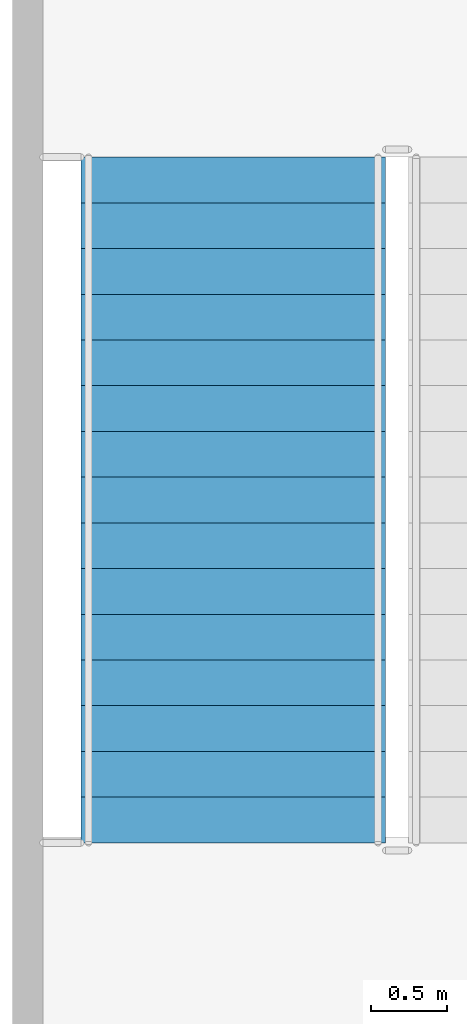
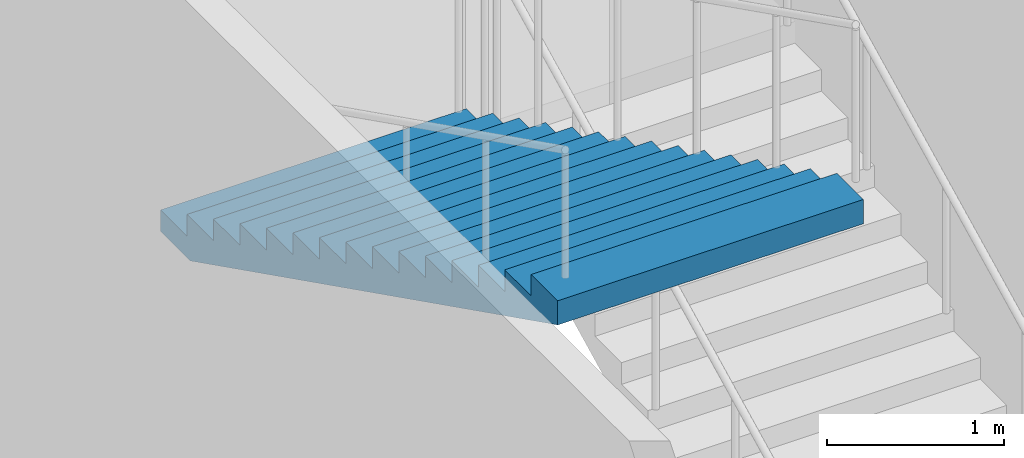
# One storey, part 52 of 67: 1 stair flight, 1 element without a shape of its own.
"""IFC4 building model written with IfcOpenShell, lengths in metres."""

from ifc_helpers import new_model, si_unit, direction, frame, origin, place, context, subcontext, project, spatial, faceted_brep, material, type_object, element, aggregate, save


model = new_model("IFC4")

# Units and contexts
model_context = context("Model", 3, precision=1e-05, world=origin(), true_north=direction((0.0, 1.0)))
body_context = subcontext(model_context, "Body", "Model", "MODEL_VIEW")
ifc_project = project(units=[si_unit("LENGTHUNIT", "METRE"), si_unit("AREAUNIT", "SQUARE_METRE"), si_unit("VOLUMEUNIT", "CUBIC_METRE"), si_unit("PLANEANGLEUNIT", "RADIAN"), si_unit("MASSUNIT", "GRAM", prefix="KILO")], contexts=[model_context])

# Site, building, storey
site_placement = place(None, origin())
site = spatial("IfcSite", under=ifc_project, at=site_placement, CompositionType="ELEMENT")
building_placement = place(site_placement, origin())
building = spatial("IfcBuilding", under=site, at=building_placement, Name="Kiln Court Media Centre", CompositionType="ELEMENT")
storey_placement = place(building_placement, frame((0.0, 0.0, 19.800048828125)))
storey = spatial("IfcBuildingStorey", under=building, at=storey_placement, Name="L04", CompositionType="ELEMENT", Elevation=19.800048828125)

# Stair, stair flight
ifc_material_1 = material(Name="Concrete C40/50", Category="concrete")
stair_type = type_object("IfcStairType", Name="Concrete C40/50 dog-leg stair 2000 wide, 150 riser", PredefinedType="HALF_TURN_STAIR", material=ifc_material_1)
stair_placement = place(storey_placement, origin())
stair = element("IfcStair", 1, at=stair_placement, inside=storey, type_object=stair_type, Name="ST-06 L04", PredefinedType="HALF_TURN_STAIR")
ifc_material_2 = material(Name="Concrete C40/50", Category="concrete")
stair_flight_type = type_object("IfcStairFlightType", Name="Concrete C40/50 stair flight 2000 wide, 150 riser, 300 going", PredefinedType="STRAIGHT", material=ifc_material_2)
stair_flight_placement = place(storey_placement, frame((1.449951171875, 40.89990234375, 2.39990234375), z_axis=(0.0, 0.0, 1.0), x_axis=(0.0, -1.0, 0.0)))
stair_flight = element("IfcStairFlight", 2, at=stair_flight_placement, type_object=stair_flight_type, Name="L04-ST-5003 flight 5007", NumberOfRisers=16, NumberOfTreads=15, PredefinedType="STRAIGHT", RiserHeight=0.15, TreadLength=0.3, context=body_context, shape_type="Brep", body=[
    faceted_brep([(0.335205078125, -1.0, 0.0), (4.5, -1.0, 2.08251953125), (4.5, -1.0, 2.25), (4.199951171875, -1.0, 2.25), (4.199951171875, -1.0, 2.10009765625), (3.89990234375, -1.0, 2.10009765625), (3.89990234375, -1.0, 1.949951171875), (3.60009765625, -1.0, 1.949951171875), (3.60009765625, -1.0, 1.800048828125), (3.300048828125, -1.0, 1.800048828125), (3.300048828125, -1.0, 1.64990234375), (3.0, -1.0, 1.64990234375), (3.0, -1.0, 1.5), (2.699951171875, -1.0, 1.5), (2.699951171875, -1.0, 1.35009765625), (2.39990234375, -1.0, 1.35009765625), (2.39990234375, -1.0, 1.199951171875), (2.10009765625, -1.0, 1.199951171875), (2.10009765625, -1.0, 1.050048828125), (1.800048828125, -1.0, 1.050048828125), (1.800048828125, -1.0, 0.89990234375), (1.5, -1.0, 0.89990234375), (1.5, -1.0, 0.75), (1.199951171875, -1.0, 0.75), (1.199951171875, -1.0, 0.60009765625), (0.89990234375, -1.0, 0.60009765625), (0.89990234375, -1.0, 0.449951171875), (0.60009765625, -1.0, 0.449951171875), (0.60009765625, -1.0, 0.300048828125), (0.300048828125, -1.0, 0.300048828125), (0.300048828125, -1.0, 0.14990234375), (0.0, -1.0, 0.14990234375), (0.0, -1.0, 0.0), (0.0, 1.0, 0.0), (0.0, 1.0, 0.14990234375), (0.300048828125, 1.0, 0.14990234375), (0.300048828125, 1.0, 0.300048828125), (0.60009765625, 1.0, 0.300048828125), (0.60009765625, 1.0, 0.449951171875), (0.89990234375, 1.0, 0.449951171875), (0.89990234375, 1.0, 0.60009765625), (1.199951171875, 1.0, 0.60009765625), (1.199951171875, 1.0, 0.75), (1.5, 1.0, 0.75), (1.5, 1.0, 0.89990234375), (1.800048828125, 1.0, 0.89990234375), (1.800048828125, 1.0, 1.050048828125), (2.10009765625, 1.0, 1.050048828125), (2.10009765625, 1.0, 1.199951171875), (2.39990234375, 1.0, 1.199951171875), (2.39990234375, 1.0, 1.35009765625), (2.699951171875, 1.0, 1.35009765625), (2.699951171875, 1.0, 1.5), (3.0, 1.0, 1.5), (3.0, 1.0, 1.64990234375), (3.300048828125, 1.0, 1.64990234375), (3.300048828125, 1.0, 1.800048828125), (3.60009765625, 1.0, 1.800048828125), (3.60009765625, 1.0, 1.949951171875), (3.89990234375, 1.0, 1.949951171875), (3.89990234375, 1.0, 2.10009765625), (4.199951171875, 1.0, 2.10009765625), (4.199951171875, 1.0, 2.25), (4.5, 1.0, 2.25), (4.5, 1.0, 2.08251953125), (0.335205078125, 1.0, 0.0), (4.5, 0.10009765625, 2.08251953125), (0.335205078125, 0.10009765625, 0.0), (4.5, 0.080078125, 2.08251953125), (0.335205078125, 0.080078125, 0.0), (4.5, 0.06005859375, 2.08251953125), (0.335205078125, 0.06005859375, 0.0), (4.5, 0.0400390625, 2.08251953125), (0.335205078125, 0.0400390625, 0.0), (4.5, 0.02001953125, 2.08251953125), (0.335205078125, 0.02001953125, 0.0), (4.5, 0.0, 2.08251953125), (0.335205078125, 0.0, 0.0), (4.5, -0.02001953125, 2.08251953125), (0.335205078125, -0.02001953125, 0.0), (4.5, -0.0400390625, 2.08251953125), (0.335205078125, -0.0400390625, 0.0), (4.5, -0.06005859375, 2.08251953125), (0.335205078125, -0.06005859375, 0.0), (4.5, -0.080078125, 2.08251953125), (0.335205078125, -0.080078125, 0.0), (4.5, -0.10009765625, 2.08251953125), (0.335205078125, -0.10009765625, 0.0), (4.5, 0.10009765625, 2.25), (4.5, 0.080078125, 2.25), (4.5, 0.06005859375, 2.25), (4.5, 0.0400390625, 2.25), (4.5, 0.02001953125, 2.25), (4.5, 0.0, 2.25), (4.5, -0.02001953125, 2.25), (4.5, -0.0400390625, 2.25), (4.5, -0.06005859375, 2.25), (4.5, -0.080078125, 2.25), (4.5, -0.10009765625, 2.25), (4.199951171875, 0.10009765625, 2.25), (4.199951171875, 0.080078125, 2.25), (4.199951171875, 0.06005859375, 2.25), (4.199951171875, 0.0400390625, 2.25), (4.199951171875, 0.02001953125, 2.25), (4.199951171875, 0.0, 2.25), (4.199951171875, -0.02001953125, 2.25), (4.199951171875, -0.0400390625, 2.25), (4.199951171875, -0.06005859375, 2.25), (4.199951171875, -0.080078125, 2.25), (4.199951171875, -0.10009765625, 2.25), (4.199951171875, 0.10009765625, 2.10009765625), (4.199951171875, 0.080078125, 2.10009765625), (4.199951171875, 0.06005859375, 2.10009765625), (4.199951171875, 0.0400390625, 2.10009765625), (4.199951171875, 0.02001953125, 2.10009765625), (4.199951171875, 0.0, 2.10009765625), (4.199951171875, -0.02001953125, 2.10009765625), (4.199951171875, -0.0400390625, 2.10009765625), (4.199951171875, -0.06005859375, 2.10009765625), (4.199951171875, -0.080078125, 2.10009765625), (4.199951171875, -0.10009765625, 2.10009765625), (3.89990234375, 0.10009765625, 2.10009765625), (3.89990234375, 0.080078125, 2.10009765625), (3.89990234375, 0.06005859375, 2.10009765625), (3.89990234375, 0.0400390625, 2.10009765625), (3.89990234375, 0.02001953125, 2.10009765625), (3.89990234375, 0.0, 2.10009765625), (3.89990234375, -0.02001953125, 2.10009765625), (3.89990234375, -0.0400390625, 2.10009765625), (3.89990234375, -0.06005859375, 2.10009765625), (3.89990234375, -0.080078125, 2.10009765625), (3.89990234375, -0.10009765625, 2.10009765625), (3.89990234375, 0.10009765625, 1.949951171875), (3.89990234375, 0.080078125, 1.949951171875), (3.89990234375, 0.06005859375, 1.949951171875), (3.89990234375, 0.0400390625, 1.949951171875), (3.89990234375, 0.02001953125, 1.949951171875), (3.89990234375, 0.0, 1.949951171875), (3.89990234375, -0.02001953125, 1.949951171875), (3.89990234375, -0.0400390625, 1.949951171875), (3.89990234375, -0.06005859375, 1.949951171875), (3.89990234375, -0.080078125, 1.949951171875), (3.89990234375, -0.10009765625, 1.949951171875), (3.60009765625, 0.10009765625, 1.949951171875), (3.60009765625, 0.080078125, 1.949951171875), (3.60009765625, 0.06005859375, 1.949951171875), (3.60009765625, 0.0400390625, 1.949951171875), (3.60009765625, 0.02001953125, 1.949951171875), (3.60009765625, 0.0, 1.949951171875), (3.60009765625, -0.02001953125, 1.949951171875), (3.60009765625, -0.0400390625, 1.949951171875), (3.60009765625, -0.06005859375, 1.949951171875), (3.60009765625, -0.080078125, 1.949951171875), (3.60009765625, -0.10009765625, 1.949951171875), (3.60009765625, 0.10009765625, 1.800048828125), (3.60009765625, 0.080078125, 1.800048828125), (3.60009765625, 0.06005859375, 1.800048828125), (3.60009765625, 0.0400390625, 1.800048828125), (3.60009765625, 0.02001953125, 1.800048828125), (3.60009765625, 0.0, 1.800048828125), (3.60009765625, -0.02001953125, 1.800048828125), (3.60009765625, -0.0400390625, 1.800048828125), (3.60009765625, -0.06005859375, 1.800048828125), (3.60009765625, -0.080078125, 1.800048828125), (3.60009765625, -0.10009765625, 1.800048828125), (3.300048828125, 0.10009765625, 1.800048828125), (3.300048828125, 0.080078125, 1.800048828125), (3.300048828125, 0.06005859375, 1.800048828125), (3.300048828125, 0.0400390625, 1.800048828125), (3.300048828125, 0.02001953125, 1.800048828125), (3.300048828125, 0.0, 1.800048828125), (3.300048828125, -0.02001953125, 1.800048828125), (3.300048828125, -0.0400390625, 1.800048828125), (3.300048828125, -0.06005859375, 1.800048828125), (3.300048828125, -0.080078125, 1.800048828125), (3.300048828125, -0.10009765625, 1.800048828125), (3.300048828125, 0.10009765625, 1.64990234375), (3.300048828125, 0.080078125, 1.64990234375), (3.300048828125, 0.06005859375, 1.64990234375), (3.300048828125, 0.0400390625, 1.64990234375), (3.300048828125, 0.02001953125, 1.64990234375), (3.300048828125, 0.0, 1.64990234375), (3.300048828125, -0.02001953125, 1.64990234375), (3.300048828125, -0.0400390625, 1.64990234375), (3.300048828125, -0.06005859375, 1.64990234375), (3.300048828125, -0.080078125, 1.64990234375), (3.300048828125, -0.10009765625, 1.64990234375), (3.0, 0.10009765625, 1.64990234375), (3.0, 0.080078125, 1.64990234375), (3.0, 0.06005859375, 1.64990234375), (3.0, 0.0400390625, 1.64990234375), (3.0, 0.02001953125, 1.64990234375), (3.0, 0.0, 1.64990234375), (3.0, -0.02001953125, 1.64990234375), (3.0, -0.0400390625, 1.64990234375), (3.0, -0.06005859375, 1.64990234375), (3.0, -0.080078125, 1.64990234375), (3.0, -0.10009765625, 1.64990234375), (3.0, 0.10009765625, 1.5), (3.0, 0.080078125, 1.5), (3.0, 0.06005859375, 1.5), (3.0, 0.0400390625, 1.5), (3.0, 0.02001953125, 1.5), (3.0, 0.0, 1.5), (3.0, -0.02001953125, 1.5), (3.0, -0.0400390625, 1.5), (3.0, -0.06005859375, 1.5), (3.0, -0.080078125, 1.5), (3.0, -0.10009765625, 1.5), (2.699951171875, 0.10009765625, 1.5), (2.699951171875, 0.080078125, 1.5), (2.699951171875, 0.06005859375, 1.5), (2.699951171875, 0.0400390625, 1.5), (2.699951171875, 0.02001953125, 1.5), (2.699951171875, 0.0, 1.5), (2.699951171875, -0.02001953125, 1.5), (2.699951171875, -0.0400390625, 1.5), (2.699951171875, -0.06005859375, 1.5), (2.699951171875, -0.080078125, 1.5), (2.699951171875, -0.10009765625, 1.5), (2.699951171875, 0.10009765625, 1.35009765625), (2.699951171875, 0.080078125, 1.35009765625), (2.699951171875, 0.06005859375, 1.35009765625), (2.699951171875, 0.0400390625, 1.35009765625), (2.699951171875, 0.02001953125, 1.35009765625), (2.699951171875, 0.0, 1.35009765625), (2.699951171875, -0.02001953125, 1.35009765625), (2.699951171875, -0.0400390625, 1.35009765625), (2.699951171875, -0.06005859375, 1.35009765625), (2.699951171875, -0.080078125, 1.35009765625), (2.699951171875, -0.10009765625, 1.35009765625), (2.39990234375, 0.10009765625, 1.35009765625), (2.39990234375, 0.080078125, 1.35009765625), (2.39990234375, 0.06005859375, 1.35009765625), (2.39990234375, 0.0400390625, 1.35009765625), (2.39990234375, 0.02001953125, 1.35009765625), (2.39990234375, 0.0, 1.35009765625), (2.39990234375, -0.02001953125, 1.35009765625), (2.39990234375, -0.0400390625, 1.35009765625), (2.39990234375, -0.06005859375, 1.35009765625), (2.39990234375, -0.080078125, 1.35009765625), (2.39990234375, -0.10009765625, 1.35009765625), (2.39990234375, 0.10009765625, 1.199951171875), (2.39990234375, 0.080078125, 1.199951171875), (2.39990234375, 0.06005859375, 1.199951171875), (2.39990234375, 0.0400390625, 1.199951171875), (2.39990234375, 0.02001953125, 1.199951171875), (2.39990234375, 0.0, 1.199951171875), (2.39990234375, -0.02001953125, 1.199951171875), (2.39990234375, -0.0400390625, 1.199951171875), (2.39990234375, -0.06005859375, 1.199951171875), (2.39990234375, -0.080078125, 1.199951171875), (2.39990234375, -0.10009765625, 1.199951171875), (2.10009765625, 0.10009765625, 1.199951171875), (2.10009765625, 0.080078125, 1.199951171875), (2.10009765625, 0.06005859375, 1.199951171875), (2.10009765625, 0.0400390625, 1.199951171875), (2.10009765625, 0.02001953125, 1.199951171875), (2.10009765625, 0.0, 1.199951171875), (2.10009765625, -0.02001953125, 1.199951171875), (2.10009765625, -0.0400390625, 1.199951171875), (2.10009765625, -0.06005859375, 1.199951171875), (2.10009765625, -0.080078125, 1.199951171875), (2.10009765625, -0.10009765625, 1.199951171875), (2.10009765625, 0.10009765625, 1.050048828125), (2.10009765625, 0.080078125, 1.050048828125), (2.10009765625, 0.06005859375, 1.050048828125), (2.10009765625, 0.0400390625, 1.050048828125), (2.10009765625, 0.02001953125, 1.050048828125), (2.10009765625, 0.0, 1.050048828125), (2.10009765625, -0.02001953125, 1.050048828125), (2.10009765625, -0.0400390625, 1.050048828125), (2.10009765625, -0.06005859375, 1.050048828125), (2.10009765625, -0.080078125, 1.050048828125), (2.10009765625, -0.10009765625, 1.050048828125), (1.800048828125, 0.10009765625, 1.050048828125), (1.800048828125, 0.080078125, 1.050048828125), (1.800048828125, 0.06005859375, 1.050048828125), (1.800048828125, 0.0400390625, 1.050048828125), (1.800048828125, 0.02001953125, 1.050048828125), (1.800048828125, 0.0, 1.050048828125), (1.800048828125, -0.02001953125, 1.050048828125), (1.800048828125, -0.0400390625, 1.050048828125), (1.800048828125, -0.06005859375, 1.050048828125), (1.800048828125, -0.080078125, 1.050048828125), (1.800048828125, -0.10009765625, 1.050048828125), (1.800048828125, 0.10009765625, 0.89990234375), (1.800048828125, 0.080078125, 0.89990234375), (1.800048828125, 0.06005859375, 0.89990234375), (1.800048828125, 0.0400390625, 0.89990234375), (1.800048828125, 0.02001953125, 0.89990234375), (1.800048828125, 0.0, 0.89990234375), (1.800048828125, -0.02001953125, 0.89990234375), (1.800048828125, -0.0400390625, 0.89990234375), (1.800048828125, -0.06005859375, 0.89990234375), (1.800048828125, -0.080078125, 0.89990234375), (1.800048828125, -0.10009765625, 0.89990234375), (1.5, 0.10009765625, 0.89990234375), (1.5, 0.080078125, 0.89990234375), (1.5, 0.06005859375, 0.89990234375), (1.5, 0.0400390625, 0.89990234375), (1.5, 0.02001953125, 0.89990234375), (1.5, 0.0, 0.89990234375), (1.5, -0.02001953125, 0.89990234375), (1.5, -0.0400390625, 0.89990234375), (1.5, -0.06005859375, 0.89990234375), (1.5, -0.080078125, 0.89990234375), (1.5, -0.10009765625, 0.89990234375), (1.5, 0.10009765625, 0.75), (1.5, 0.080078125, 0.75), (1.5, 0.06005859375, 0.75), (1.5, 0.0400390625, 0.75), (1.5, 0.02001953125, 0.75), (1.5, 0.0, 0.75), (1.5, -0.02001953125, 0.75), (1.5, -0.0400390625, 0.75), (1.5, -0.06005859375, 0.75), (1.5, -0.080078125, 0.75), (1.5, -0.10009765625, 0.75), (1.199951171875, 0.10009765625, 0.75), (1.199951171875, 0.080078125, 0.75), (1.199951171875, 0.06005859375, 0.75), (1.199951171875, 0.0400390625, 0.75), (1.199951171875, 0.02001953125, 0.75), (1.199951171875, 0.0, 0.75), (1.199951171875, -0.02001953125, 0.75), (1.199951171875, -0.0400390625, 0.75), (1.199951171875, -0.06005859375, 0.75), (1.199951171875, -0.080078125, 0.75), (1.199951171875, -0.10009765625, 0.75), (1.199951171875, 0.10009765625, 0.60009765625), (1.199951171875, 0.080078125, 0.60009765625), (1.199951171875, 0.06005859375, 0.60009765625), (1.199951171875, 0.0400390625, 0.60009765625), (1.199951171875, 0.02001953125, 0.60009765625), (1.199951171875, 0.0, 0.60009765625), (1.199951171875, -0.02001953125, 0.60009765625), (1.199951171875, -0.0400390625, 0.60009765625), (1.199951171875, -0.06005859375, 0.60009765625), (1.199951171875, -0.080078125, 0.60009765625), (1.199951171875, -0.10009765625, 0.60009765625), (0.89990234375, 0.10009765625, 0.60009765625), (0.89990234375, 0.080078125, 0.60009765625), (0.89990234375, 0.06005859375, 0.60009765625), (0.89990234375, 0.0400390625, 0.60009765625), (0.89990234375, 0.02001953125, 0.60009765625), (0.89990234375, 0.0, 0.60009765625), (0.89990234375, -0.02001953125, 0.60009765625), (0.89990234375, -0.0400390625, 0.60009765625), (0.89990234375, -0.06005859375, 0.60009765625), (0.89990234375, -0.080078125, 0.60009765625), (0.89990234375, -0.10009765625, 0.60009765625), (0.89990234375, 0.10009765625, 0.449951171875), (0.89990234375, 0.080078125, 0.449951171875), (0.89990234375, 0.06005859375, 0.449951171875), (0.89990234375, 0.0400390625, 0.449951171875), (0.89990234375, 0.02001953125, 0.449951171875), (0.89990234375, 0.0, 0.449951171875), (0.89990234375, -0.02001953125, 0.449951171875), (0.89990234375, -0.0400390625, 0.449951171875), (0.89990234375, -0.06005859375, 0.449951171875), (0.89990234375, -0.080078125, 0.449951171875), (0.89990234375, -0.10009765625, 0.449951171875), (0.60009765625, 0.10009765625, 0.449951171875), (0.60009765625, 0.080078125, 0.449951171875), (0.60009765625, 0.06005859375, 0.449951171875), (0.60009765625, 0.0400390625, 0.449951171875), (0.60009765625, 0.02001953125, 0.449951171875), (0.60009765625, 0.0, 0.449951171875), (0.60009765625, -0.02001953125, 0.449951171875), (0.60009765625, -0.0400390625, 0.449951171875), (0.60009765625, -0.06005859375, 0.449951171875), (0.60009765625, -0.080078125, 0.449951171875), (0.60009765625, -0.10009765625, 0.449951171875), (0.60009765625, 0.10009765625, 0.300048828125), (0.60009765625, 0.080078125, 0.300048828125), (0.60009765625, 0.06005859375, 0.300048828125), (0.60009765625, 0.0400390625, 0.300048828125), (0.60009765625, 0.02001953125, 0.300048828125), (0.60009765625, 0.0, 0.300048828125), (0.60009765625, -0.02001953125, 0.300048828125), (0.60009765625, -0.0400390625, 0.300048828125), (0.60009765625, -0.06005859375, 0.300048828125), (0.60009765625, -0.080078125, 0.300048828125), (0.60009765625, -0.10009765625, 0.300048828125), (0.300048828125, 0.10009765625, 0.300048828125), (0.300048828125, 0.080078125, 0.300048828125), (0.300048828125, 0.06005859375, 0.300048828125), (0.300048828125, 0.0400390625, 0.300048828125), (0.300048828125, 0.02001953125, 0.300048828125), (0.300048828125, 0.0, 0.300048828125), (0.300048828125, -0.02001953125, 0.300048828125), (0.300048828125, -0.0400390625, 0.300048828125), (0.300048828125, -0.06005859375, 0.300048828125), (0.300048828125, -0.080078125, 0.300048828125), (0.300048828125, -0.10009765625, 0.300048828125), (0.300048828125, 0.10009765625, 0.14990234375), (0.300048828125, 0.080078125, 0.14990234375), (0.300048828125, 0.06005859375, 0.14990234375), (0.300048828125, 0.0400390625, 0.14990234375), (0.300048828125, 0.02001953125, 0.14990234375), (0.300048828125, 0.0, 0.14990234375), (0.300048828125, -0.02001953125, 0.14990234375), (0.300048828125, -0.0400390625, 0.14990234375), (0.300048828125, -0.06005859375, 0.14990234375), (0.300048828125, -0.080078125, 0.14990234375), (0.300048828125, -0.10009765625, 0.14990234375), (0.0, 0.10009765625, 0.14990234375), (0.0, 0.080078125, 0.14990234375), (0.0, 0.06005859375, 0.14990234375), (0.0, 0.0400390625, 0.14990234375), (0.0, 0.02001953125, 0.14990234375), (0.0, 0.0, 0.14990234375), (0.0, -0.02001953125, 0.14990234375), (0.0, -0.0400390625, 0.14990234375), (0.0, -0.06005859375, 0.14990234375), (0.0, -0.080078125, 0.14990234375), (0.0, -0.10009765625, 0.14990234375), (0.0, 0.10009765625, 0.0), (0.0, 0.080078125, 0.0), (0.0, 0.06005859375, 0.0), (0.0, 0.0400390625, 0.0), (0.0, 0.02001953125, 0.0), (0.0, 0.0, 0.0), (0.0, -0.02001953125, 0.0), (0.0, -0.0400390625, 0.0), (0.0, -0.06005859375, 0.0), (0.0, -0.080078125, 0.0), (0.0, -0.10009765625, 0.0)], [[[0, 1, 2, 3, 4, 5, 6, 7, 8, 9, 10, 11, 12, 13, 14, 15, 16, 17, 18, 19, 20, 21, 22, 23, 24, 25, 26, 27, 28, 29, 30, 31, 32]], [[33, 34, 35, 36, 37, 38, 39, 40, 41, 42, 43, 44, 45, 46, 47, 48, 49, 50, 51, 52, 53, 54, 55, 56, 57, 58, 59, 60, 61, 62, 63, 64, 65]], [[65, 64, 66, 67]], [[67, 66, 68, 69]], [[69, 68, 70, 71]], [[71, 70, 72, 73]], [[73, 72, 74, 75]], [[75, 74, 76, 77]], [[77, 76, 78, 79]], [[79, 78, 80, 81]], [[81, 80, 82, 83]], [[83, 82, 84, 85]], [[85, 84, 86, 87]], [[87, 86, 1, 0]], [[64, 63, 88, 66]], [[66, 88, 89, 68]], [[68, 89, 90, 70]], [[70, 90, 91, 72]], [[72, 91, 92, 74]], [[74, 92, 93, 76]], [[76, 93, 94, 78]], [[78, 94, 95, 80]], [[80, 95, 96, 82]], [[82, 96, 97, 84]], [[84, 97, 98, 86]], [[86, 98, 2, 1]], [[63, 62, 99, 88]], [[88, 99, 100, 89]], [[89, 100, 101, 90]], [[90, 101, 102, 91]], [[91, 102, 103, 92]], [[92, 103, 104, 93]], [[93, 104, 105, 94]], [[94, 105, 106, 95]], [[95, 106, 107, 96]], [[96, 107, 108, 97]], [[97, 108, 109, 98]], [[98, 109, 3, 2]], [[62, 61, 110, 99]], [[99, 110, 111, 100]], [[100, 111, 112, 101]], [[101, 112, 113, 102]], [[102, 113, 114, 103]], [[103, 114, 115, 104]], [[104, 115, 116, 105]], [[105, 116, 117, 106]], [[106, 117, 118, 107]], [[107, 118, 119, 108]], [[108, 119, 120, 109]], [[109, 120, 4, 3]], [[61, 60, 121, 110]], [[110, 121, 122, 111]], [[111, 122, 123, 112]], [[112, 123, 124, 113]], [[113, 124, 125, 114]], [[114, 125, 126, 115]], [[115, 126, 127, 116]], [[116, 127, 128, 117]], [[117, 128, 129, 118]], [[118, 129, 130, 119]], [[119, 130, 131, 120]], [[120, 131, 5, 4]], [[60, 59, 132, 121]], [[121, 132, 133, 122]], [[122, 133, 134, 123]], [[123, 134, 135, 124]], [[124, 135, 136, 125]], [[125, 136, 137, 126]], [[126, 137, 138, 127]], [[127, 138, 139, 128]], [[128, 139, 140, 129]], [[129, 140, 141, 130]], [[130, 141, 142, 131]], [[131, 142, 6, 5]], [[59, 58, 143, 132]], [[132, 143, 144, 133]], [[133, 144, 145, 134]], [[134, 145, 146, 135]], [[135, 146, 147, 136]], [[136, 147, 148, 137]], [[137, 148, 149, 138]], [[138, 149, 150, 139]], [[139, 150, 151, 140]], [[140, 151, 152, 141]], [[141, 152, 153, 142]], [[142, 153, 7, 6]], [[58, 57, 154, 143]], [[143, 154, 155, 144]], [[144, 155, 156, 145]], [[145, 156, 157, 146]], [[146, 157, 158, 147]], [[147, 158, 159, 148]], [[148, 159, 160, 149]], [[149, 160, 161, 150]], [[150, 161, 162, 151]], [[151, 162, 163, 152]], [[152, 163, 164, 153]], [[153, 164, 8, 7]], [[57, 56, 165, 154]], [[154, 165, 166, 155]], [[155, 166, 167, 156]], [[156, 167, 168, 157]], [[157, 168, 169, 158]], [[158, 169, 170, 159]], [[159, 170, 171, 160]], [[160, 171, 172, 161]], [[161, 172, 173, 162]], [[162, 173, 174, 163]], [[163, 174, 175, 164]], [[164, 175, 9, 8]], [[56, 55, 176, 165]], [[165, 176, 177, 166]], [[166, 177, 178, 167]], [[167, 178, 179, 168]], [[168, 179, 180, 169]], [[169, 180, 181, 170]], [[170, 181, 182, 171]], [[171, 182, 183, 172]], [[172, 183, 184, 173]], [[173, 184, 185, 174]], [[174, 185, 186, 175]], [[175, 186, 10, 9]], [[55, 54, 187, 176]], [[176, 187, 188, 177]], [[177, 188, 189, 178]], [[178, 189, 190, 179]], [[179, 190, 191, 180]], [[180, 191, 192, 181]], [[181, 192, 193, 182]], [[182, 193, 194, 183]], [[183, 194, 195, 184]], [[184, 195, 196, 185]], [[185, 196, 197, 186]], [[186, 197, 11, 10]], [[54, 53, 198, 187]], [[187, 198, 199, 188]], [[188, 199, 200, 189]], [[189, 200, 201, 190]], [[190, 201, 202, 191]], [[191, 202, 203, 192]], [[192, 203, 204, 193]], [[193, 204, 205, 194]], [[194, 205, 206, 195]], [[195, 206, 207, 196]], [[196, 207, 208, 197]], [[197, 208, 12, 11]], [[53, 52, 209, 198]], [[198, 209, 210, 199]], [[199, 210, 211, 200]], [[200, 211, 212, 201]], [[201, 212, 213, 202]], [[202, 213, 214, 203]], [[203, 214, 215, 204]], [[204, 215, 216, 205]], [[205, 216, 217, 206]], [[206, 217, 218, 207]], [[207, 218, 219, 208]], [[208, 219, 13, 12]], [[52, 51, 220, 209]], [[209, 220, 221, 210]], [[210, 221, 222, 211]], [[211, 222, 223, 212]], [[212, 223, 224, 213]], [[213, 224, 225, 214]], [[214, 225, 226, 215]], [[215, 226, 227, 216]], [[216, 227, 228, 217]], [[217, 228, 229, 218]], [[218, 229, 230, 219]], [[219, 230, 14, 13]], [[51, 50, 231, 220]], [[220, 231, 232, 221]], [[221, 232, 233, 222]], [[222, 233, 234, 223]], [[223, 234, 235, 224]], [[224, 235, 236, 225]], [[225, 236, 237, 226]], [[226, 237, 238, 227]], [[227, 238, 239, 228]], [[228, 239, 240, 229]], [[229, 240, 241, 230]], [[230, 241, 15, 14]], [[50, 49, 242, 231]], [[231, 242, 243, 232]], [[232, 243, 244, 233]], [[233, 244, 245, 234]], [[234, 245, 246, 235]], [[235, 246, 247, 236]], [[236, 247, 248, 237]], [[237, 248, 249, 238]], [[238, 249, 250, 239]], [[239, 250, 251, 240]], [[240, 251, 252, 241]], [[241, 252, 16, 15]], [[49, 48, 253, 242]], [[242, 253, 254, 243]], [[243, 254, 255, 244]], [[244, 255, 256, 245]], [[245, 256, 257, 246]], [[246, 257, 258, 247]], [[247, 258, 259, 248]], [[248, 259, 260, 249]], [[249, 260, 261, 250]], [[250, 261, 262, 251]], [[251, 262, 263, 252]], [[252, 263, 17, 16]], [[48, 47, 264, 253]], [[253, 264, 265, 254]], [[254, 265, 266, 255]], [[255, 266, 267, 256]], [[256, 267, 268, 257]], [[257, 268, 269, 258]], [[258, 269, 270, 259]], [[259, 270, 271, 260]], [[260, 271, 272, 261]], [[261, 272, 273, 262]], [[262, 273, 274, 263]], [[263, 274, 18, 17]], [[47, 46, 275, 264]], [[264, 275, 276, 265]], [[265, 276, 277, 266]], [[266, 277, 278, 267]], [[267, 278, 279, 268]], [[268, 279, 280, 269]], [[269, 280, 281, 270]], [[270, 281, 282, 271]], [[271, 282, 283, 272]], [[272, 283, 284, 273]], [[273, 284, 285, 274]], [[274, 285, 19, 18]], [[46, 45, 286, 275]], [[275, 286, 287, 276]], [[276, 287, 288, 277]], [[277, 288, 289, 278]], [[278, 289, 290, 279]], [[279, 290, 291, 280]], [[280, 291, 292, 281]], [[281, 292, 293, 282]], [[282, 293, 294, 283]], [[283, 294, 295, 284]], [[284, 295, 296, 285]], [[285, 296, 20, 19]], [[45, 44, 297, 286]], [[286, 297, 298, 287]], [[287, 298, 299, 288]], [[288, 299, 300, 289]], [[289, 300, 301, 290]], [[290, 301, 302, 291]], [[291, 302, 303, 292]], [[292, 303, 304, 293]], [[293, 304, 305, 294]], [[294, 305, 306, 295]], [[295, 306, 307, 296]], [[296, 307, 21, 20]], [[44, 43, 308, 297]], [[297, 308, 309, 298]], [[298, 309, 310, 299]], [[299, 310, 311, 300]], [[300, 311, 312, 301]], [[301, 312, 313, 302]], [[302, 313, 314, 303]], [[303, 314, 315, 304]], [[304, 315, 316, 305]], [[305, 316, 317, 306]], [[306, 317, 318, 307]], [[307, 318, 22, 21]], [[43, 42, 319, 308]], [[308, 319, 320, 309]], [[309, 320, 321, 310]], [[310, 321, 322, 311]], [[311, 322, 323, 312]], [[312, 323, 324, 313]], [[313, 324, 325, 314]], [[314, 325, 326, 315]], [[315, 326, 327, 316]], [[316, 327, 328, 317]], [[317, 328, 329, 318]], [[318, 329, 23, 22]], [[42, 41, 330, 319]], [[319, 330, 331, 320]], [[320, 331, 332, 321]], [[321, 332, 333, 322]], [[322, 333, 334, 323]], [[323, 334, 335, 324]], [[324, 335, 336, 325]], [[325, 336, 337, 326]], [[326, 337, 338, 327]], [[327, 338, 339, 328]], [[328, 339, 340, 329]], [[329, 340, 24, 23]], [[41, 40, 341, 330]], [[330, 341, 342, 331]], [[331, 342, 343, 332]], [[332, 343, 344, 333]], [[333, 344, 345, 334]], [[334, 345, 346, 335]], [[335, 346, 347, 336]], [[336, 347, 348, 337]], [[337, 348, 349, 338]], [[338, 349, 350, 339]], [[339, 350, 351, 340]], [[340, 351, 25, 24]], [[40, 39, 352, 341]], [[341, 352, 353, 342]], [[342, 353, 354, 343]], [[343, 354, 355, 344]], [[344, 355, 356, 345]], [[345, 356, 357, 346]], [[346, 357, 358, 347]], [[347, 358, 359, 348]], [[348, 359, 360, 349]], [[349, 360, 361, 350]], [[350, 361, 362, 351]], [[351, 362, 26, 25]], [[39, 38, 363, 352]], [[352, 363, 364, 353]], [[353, 364, 365, 354]], [[354, 365, 366, 355]], [[355, 366, 367, 356]], [[356, 367, 368, 357]], [[357, 368, 369, 358]], [[358, 369, 370, 359]], [[359, 370, 371, 360]], [[360, 371, 372, 361]], [[361, 372, 373, 362]], [[362, 373, 27, 26]], [[38, 37, 374, 363]], [[363, 374, 375, 364]], [[364, 375, 376, 365]], [[365, 376, 377, 366]], [[366, 377, 378, 367]], [[367, 378, 379, 368]], [[368, 379, 380, 369]], [[369, 380, 381, 370]], [[370, 381, 382, 371]], [[371, 382, 383, 372]], [[372, 383, 384, 373]], [[373, 384, 28, 27]], [[37, 36, 385, 374]], [[374, 385, 386, 375]], [[375, 386, 387, 376]], [[376, 387, 388, 377]], [[377, 388, 389, 378]], [[378, 389, 390, 379]], [[379, 390, 391, 380]], [[380, 391, 392, 381]], [[381, 392, 393, 382]], [[382, 393, 394, 383]], [[383, 394, 395, 384]], [[384, 395, 29, 28]], [[36, 35, 396, 385]], [[385, 396, 397, 386]], [[386, 397, 398, 387]], [[387, 398, 399, 388]], [[388, 399, 400, 389]], [[389, 400, 401, 390]], [[390, 401, 402, 391]], [[391, 402, 403, 392]], [[392, 403, 404, 393]], [[393, 404, 405, 394]], [[394, 405, 406, 395]], [[395, 406, 30, 29]], [[35, 34, 407, 396]], [[396, 407, 408, 397]], [[397, 408, 409, 398]], [[398, 409, 410, 399]], [[399, 410, 411, 400]], [[400, 411, 412, 401]], [[401, 412, 413, 402]], [[402, 413, 414, 403]], [[403, 414, 415, 404]], [[404, 415, 416, 405]], [[405, 416, 417, 406]], [[406, 417, 31, 30]], [[34, 33, 418, 407]], [[407, 418, 419, 408]], [[408, 419, 420, 409]], [[409, 420, 421, 410]], [[410, 421, 422, 411]], [[411, 422, 423, 412]], [[412, 423, 424, 413]], [[413, 424, 425, 414]], [[414, 425, 426, 415]], [[415, 426, 427, 416]], [[416, 427, 428, 417]], [[417, 428, 32, 31]], [[33, 65, 67, 418]], [[418, 67, 69, 419]], [[419, 69, 71, 420]], [[420, 71, 73, 421]], [[421, 73, 75, 422]], [[422, 75, 77, 423]], [[423, 77, 79, 424]], [[424, 79, 81, 425]], [[425, 81, 83, 426]], [[426, 83, 85, 427]], [[427, 85, 87, 428]], [[428, 87, 0, 32]]]),
])
aggregate(stair, [stair_flight])

save(model, "model.ifc")
